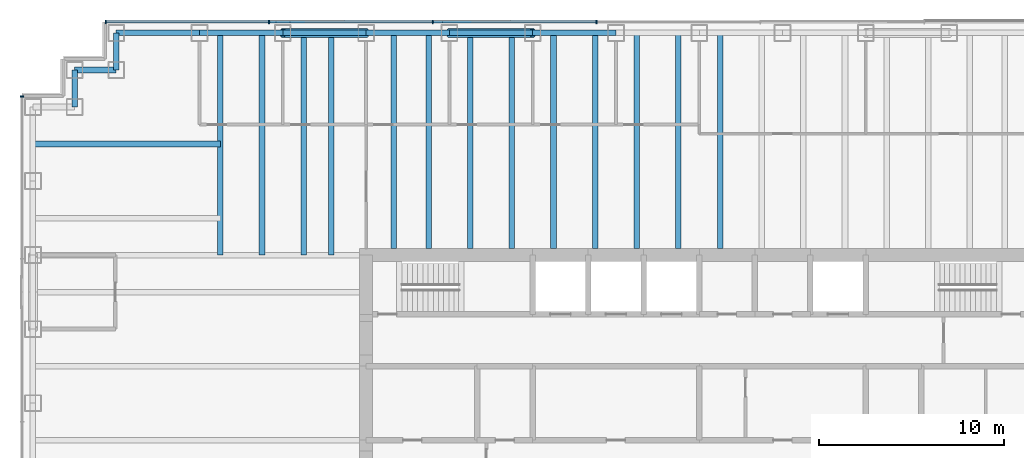
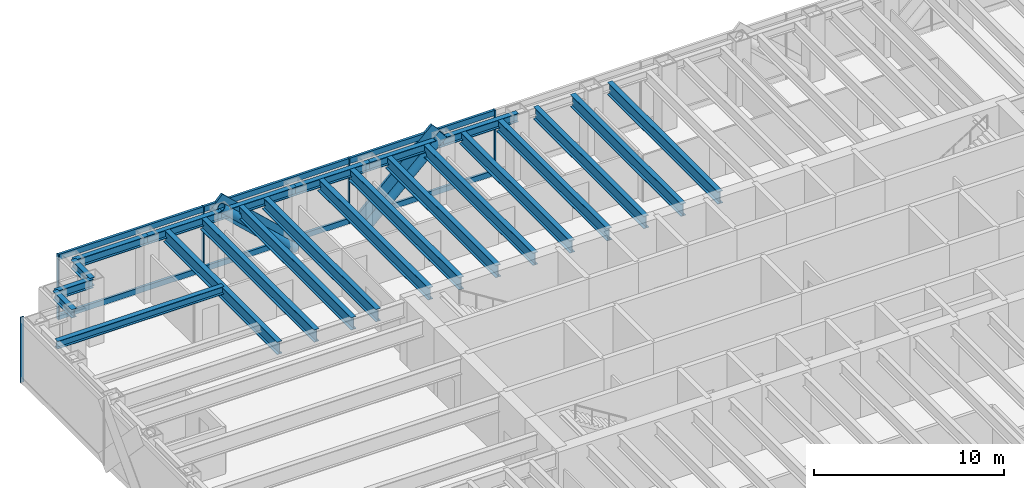
# One storey, part 6 of 17: 23 beams, 15 members, 2 elements without a shape of their own.
"""IFC4 building model written with IfcOpenShell, lengths in metres."""

from ifc_helpers import new_model, si_unit, direction, frame, origin, origin_2d, place, context, subcontext, project, spatial, rectangle, hollow_circle, i_section, extrude, material, material_profile, profile_set, type_object, element, aggregate, save


model = new_model("IFC4")

# Units and contexts
model_context = context("Model", 3, precision=1e-05, world=origin(), true_north=direction((0.0, 1.0)))
body_context = subcontext(model_context, "Body", "Model", "MODEL_VIEW")
ifc_project = project(units=[si_unit("LENGTHUNIT", "METRE"), si_unit("AREAUNIT", "SQUARE_METRE"), si_unit("VOLUMEUNIT", "CUBIC_METRE"), si_unit("PLANEANGLEUNIT", "RADIAN"), si_unit("MASSUNIT", "GRAM", prefix="KILO")], contexts=[model_context])

# Site, building, storey
site_placement = place(None, origin())
site = spatial("IfcSite", under=ifc_project, at=site_placement, CompositionType="ELEMENT")
building_placement = place(site_placement, origin())
building = spatial("IfcBuilding", under=site, at=building_placement, Name="Rheinbord Bourse Tower", CompositionType="ELEMENT")
storey_placement = place(building_placement, frame((0.0, 0.0, 321.5)))
storey = spatial("IfcBuildingStorey", under=building, at=storey_placement, Name="L73", CompositionType="ELEMENT", Elevation=321.5)

# Curtain wall, members
ifc_material_1 = material(Name="Dark glass and black aluminium", Category="aluminium")
curtain_wall_type = type_object("IfcCurtainWallType", Name="CW3 DARK GLASS CURTAIN WALL", PredefinedType="USERDEFINED", material=ifc_material_1)
curtain_wall_1_placement = place(storey_placement, origin())
curtain_wall_1 = element("IfcCurtainWall", 1, at=curtain_wall_1_placement, inside=storey, type_object=curtain_wall_type, Name="Curtain wall CW3 N L73", ObjectType="UNITISED CURTAIN WALL", PredefinedType="USERDEFINED")
ifc_material_2 = material(Name="Black anodised aluminium", Category="aluminium")
ifc_material_profile_1 = material_profile(ifc_material_2, rectangle(XDim=0.14990234375, YDim=1.10791015625, at=origin_2d()), Name="CW3 DIAGONAL MULLION 1108x150")
ifc_profile_set_1 = profile_set([ifc_material_profile_1], Name="Black anodised aluminium")
member_type_1 = type_object("IfcMemberType", Name="CW3 BLACK DIAGONAL MULLION", PredefinedType="USERDEFINED", material=ifc_profile_set_1)
member_1_placement = place(storey_placement, frame((22.5, 44.60009765625, 0.0), z_axis=(0.73105922506, 0.0, 0.682314010889), x_axis=(0.0, 1.0, 0.0)))
member_1 = element("IfcMember", 2, at=member_1_placement, type_object=member_type_1, Name="CW3 diagonal mullion b", ObjectType="DIAGONAL MULLION", PredefinedType="USERDEFINED", context=body_context, shape_type="SweptSolid", body=[
    extrude(rectangle(XDim=0.14990234375, YDim=1.10791015625, at=origin_2d()), origin(), (0.0, 0.0, 1.0), 6.155517578125),
])
member_2_placement = place(storey_placement, frame((18.0, 44.60009765625, 0.0), z_axis=(-0.73105922506, 0.0, 0.682314010889), x_axis=(0.0, -1.0, 0.0)))
member_2 = element("IfcMember", 3, at=member_2_placement, type_object=member_type_1, Name="CW3 diagonal mullion c", ObjectType="DIAGONAL MULLION", PredefinedType="USERDEFINED", context=body_context, shape_type="SweptSolid", body=[
    extrude(rectangle(XDim=0.14990234375, YDim=1.10791015625, at=origin_2d()), origin(), (0.0, 0.0, 1.0), 6.155517578125),
])
ifc_material_3 = material(Name="Black anodised aluminium", Category="aluminium")
ifc_material_profile_2 = material_profile(ifc_material_3, rectangle(XDim=0.199951171875, YDim=0.06494140625, at=origin_2d()), Name="CW3 MULLION 65x200")
ifc_profile_set_2 = profile_set([ifc_material_profile_2], Name="Black anodised aluminium")
member_type_2 = type_object("IfcMemberType", Name="CW3 BLACK MULLION", PredefinedType="MULLION", material=ifc_profile_set_2)
member_3_placement = place(storey_placement, frame((30.449951171875, 44.60009765625, 0.0), z_axis=(0.0, 0.0, 1.0), x_axis=(0.0, -1.0, 0.0)))
member_3 = element("IfcMember", 4, at=member_3_placement, type_object=member_type_2, Name="CW3 mullion 5", PredefinedType="MULLION", context=body_context, shape_type="SweptSolid", body=[
    extrude(rectangle(XDim=0.199951171875, YDim=0.06494140625, at=origin_2d()), origin(), (0.0, 0.0, 1.0), 4.199951171875),
])
member_4_placement = place(storey_placement, frame((21.60009765625, 44.60009765625, 0.0), z_axis=(0.0, 0.0, 1.0), x_axis=(0.0, -1.0, 0.0)))
member_4 = element("IfcMember", 5, at=member_4_placement, type_object=member_type_2, Name="CW3 mullion 6", PredefinedType="MULLION", context=body_context, shape_type="SweptSolid", body=[
    extrude(rectangle(XDim=0.199951171875, YDim=0.06494140625, at=origin_2d()), origin(), (0.0, 0.0, 1.0), 4.199951171875),
])
member_5_placement = place(storey_placement, frame((12.75, 44.60009765625, 0.0), z_axis=(0.0, 0.0, 1.0), x_axis=(0.0, -1.0, 0.0)))
member_5 = element("IfcMember", 6, at=member_5_placement, type_object=member_type_2, Name="CW3 mullion 7", PredefinedType="MULLION", context=body_context, shape_type="SweptSolid", body=[
    extrude(rectangle(XDim=0.199951171875, YDim=0.06494140625, at=origin_2d()), origin(), (0.0, 0.0, 1.0), 4.199951171875),
])
member_6_placement = place(storey_placement, frame((3.9326171875, 44.60009765625, 0.0), z_axis=(0.0, 0.0, 1.0), x_axis=(0.0, -1.0, 0.0)))
member_6 = element("IfcMember", 7, at=member_6_placement, type_object=member_type_2, Name="CW3 mullion 8", PredefinedType="MULLION", context=body_context, shape_type="SweptSolid", body=[
    extrude(rectangle(XDim=0.199951171875, YDim=0.06494140625, at=origin_2d()), origin(), (0.0, 0.0, 1.0), 4.199951171875),
])

# Curtain wall, member
curtain_wall_2_placement = place(storey_placement, origin())
curtain_wall_2 = element("IfcCurtainWall", 8, at=curtain_wall_2_placement, inside=storey, type_object=curtain_wall_type, Name="Curtain wall CW3 W L73", ObjectType="UNITISED CURTAIN WALL", PredefinedType="USERDEFINED")
member_7_placement = place(storey_placement, frame((-0.60009765625, 40.5673828125, 0.0), z_axis=(0.0, 0.0, 1.0), x_axis=(1.0, 0.0, 0.0)))
member_7 = element("IfcMember", 9, at=member_7_placement, type_object=member_type_2, Name="CW3 mullion 1", PredefinedType="MULLION", context=body_context, shape_type="SweptSolid", body=[
    extrude(rectangle(XDim=0.199951171875, YDim=0.06494140625, at=origin_2d()), origin(), (0.0, 0.0, 1.0), 4.199951171875),
])
aggregate(curtain_wall_2, [member_7])

# Member
ifc_material_4 = material(Name="Black anodised aluminium", Category="aluminium")
ifc_material_profile_3 = material_profile(ifc_material_4, rectangle(XDim=0.14990234375, YDim=0.35009765625, at=origin_2d()), Name="CW3 TRANSOM 350x150")
ifc_profile_set_3 = profile_set([ifc_material_profile_3], Name="Black anodised aluminium")
member_type_3 = type_object("IfcMemberType", Name="CW3 BLACK TRANSOM", PredefinedType="USERDEFINED", material=ifc_profile_set_3)
member_8_placement = place(storey_placement, frame((30.41748046875, 44.60009765625, 0.175048828125), z_axis=(-1.0, 0.0, 0.0), x_axis=(0.0, -1.0, 0.0)))
member_8 = element("IfcMember", 10, at=member_8_placement, type_object=member_type_3, Name="CW3 transom 5.1", ObjectType="TRANSOM", PredefinedType="USERDEFINED", context=body_context, shape_type="SweptSolid", body=[
    extrude(rectangle(XDim=0.14990234375, YDim=0.35009765625, at=origin_2d()), origin(), (0.0, 0.0, 1.0), 8.784912109375),
])

member_9_placement = place(storey_placement, frame((30.41748046875, 44.60009765625, 4.02490234375), z_axis=(-1.0, 0.0, 0.0), x_axis=(0.0, -1.0, 0.0)))
member_9 = element("IfcMember", 11, at=member_9_placement, type_object=member_type_3, Name="CW3 transom 5.2", ObjectType="TRANSOM", PredefinedType="USERDEFINED", context=body_context, shape_type="SweptSolid", body=[
    extrude(rectangle(XDim=0.14990234375, YDim=0.35009765625, at=origin_2d()), origin(), (0.0, 0.0, 1.0), 8.784912109375),
])

member_10_placement = place(storey_placement, frame((21.5673828125, 44.60009765625, 0.175048828125), z_axis=(-1.0, 0.0, 0.0), x_axis=(0.0, -1.0, 0.0)))
member_10 = element("IfcMember", 12, at=member_10_placement, type_object=member_type_3, Name="CW3 transom 6.1", ObjectType="TRANSOM", PredefinedType="USERDEFINED", context=body_context, shape_type="SweptSolid", body=[
    extrude(rectangle(XDim=0.14990234375, YDim=0.35009765625, at=origin_2d()), origin(), (0.0, 0.0, 1.0), 8.784912109375),
])

member_11_placement = place(storey_placement, frame((21.5673828125, 44.60009765625, 4.02490234375), z_axis=(-1.0, 0.0, 0.0), x_axis=(0.0, -1.0, 0.0)))
member_11 = element("IfcMember", 13, at=member_11_placement, type_object=member_type_3, Name="CW3 transom 6.2", ObjectType="TRANSOM", PredefinedType="USERDEFINED", context=body_context, shape_type="SweptSolid", body=[
    extrude(rectangle(XDim=0.14990234375, YDim=0.35009765625, at=origin_2d()), origin(), (0.0, 0.0, 1.0), 8.784912109375),
])

member_12_placement = place(storey_placement, frame((12.717529296875, 44.60009765625, 0.175048828125), z_axis=(-1.0, 0.0, 0.0), x_axis=(0.0, -1.0, 0.0)))
member_12 = element("IfcMember", 14, at=member_12_placement, type_object=member_type_3, Name="CW3 transom 7.1", ObjectType="TRANSOM", PredefinedType="USERDEFINED", context=body_context, shape_type="SweptSolid", body=[
    extrude(rectangle(XDim=0.14990234375, YDim=0.35009765625, at=origin_2d()), origin(), (0.0, 0.0, 1.0), 8.75244140625),
])

member_13_placement = place(storey_placement, frame((12.717529296875, 44.60009765625, 4.02490234375), z_axis=(-1.0, 0.0, 0.0), x_axis=(0.0, -1.0, 0.0)))
member_13 = element("IfcMember", 15, at=member_13_placement, type_object=member_type_3, Name="CW3 transom 7.2", ObjectType="TRANSOM", PredefinedType="USERDEFINED", context=body_context, shape_type="SweptSolid", body=[
    extrude(rectangle(XDim=0.14990234375, YDim=0.35009765625, at=origin_2d()), origin(), (0.0, 0.0, 1.0), 8.75244140625),
])

aggregate(curtain_wall_1, [member_3, member_4, member_5, member_6, member_8, member_9, member_10, member_11, member_12, member_13, member_1, member_2])

# Beams
ifc_material_5 = material(Name="Steel S460", Category="steel")
ifc_material_profile_4 = material_profile(ifc_material_5, i_section(OverallWidth=0.300048828125, OverallDepth=0.800048828125, WebThickness=0.017578125, FlangeThickness=0.032958984375, at=origin_2d()), Name="HEB 800")
ifc_profile_set_4 = profile_set([ifc_material_profile_4], Name="Steel S460")
beam_type_1 = type_object("IfcBeamType", Name="FLOOR BEAM HEB 800", PredefinedType="BEAM", material=ifc_profile_set_4)
for number, where, z_axis, x_axis, name in (
    (16, (10.125, 44.0, 3.639892578125), (0.0, -1.0, 0.0), (1.0, 0.0, 0.0), "Floor beam N-9a L74"),
    (17, (12.375, 44.0, 3.639892578125), (0.0, -1.0, 0.0), (1.0, 0.0, 0.0), "Floor beam N-9b L74"),
    (18, (14.625, 44.0, 3.639892578125), (0.0, -1.0, 0.0), (1.0, 0.0, 0.0), "Floor beam N-13.5a L74"),
    (19, (16.125, 44.0, 3.639892578125), (0.0, -1.0, 0.0), (1.0, 0.0, 0.0), "Floor beam N-13.5b L74"),
):
    element("IfcBeam", number, at=place(storey_placement, frame(where, z_axis=z_axis, x_axis=x_axis)), inside=storey, type_object=beam_type_1, Name=name, PredefinedType="BEAM", context=body_context, shape_type="SweptSolid", body=[
        extrude(i_section(OverallWidth=0.300048828125, OverallDepth=0.800048828125, WebThickness=0.017578125, FlangeThickness=0.032958984375, at=origin_2d()), origin(), (0.0, 0.0, 1.0), 12.0),
    ])
for number, where, z_axis, x_axis, name in (
    (20, (19.5, 44.0, 3.639892578125), (0.0, -1.0, 0.0), (1.0, 0.0, 0.0), "Floor beam N-18a L74"),
    (21, (21.375, 44.0, 3.639892578125), (0.0, -1.0, 0.0), (1.0, 0.0, 0.0), "Floor beam N-18b L74"),
    (22, (23.625, 44.0, 3.639892578125), (0.0, -1.0, 0.0), (1.0, 0.0, 0.0), "Floor beam N-22.5a L74"),
    (23, (25.875, 44.0, 3.639892578125), (0.0, -1.0, 0.0), (1.0, 0.0, 0.0), "Floor beam N-22.5b L74"),
    (24, (28.125, 44.0, 3.639892578125), (0.0, -1.0, 0.0), (1.0, 0.0, 0.0), "Floor beam N-27a L74"),
    (25, (30.375, 44.0, 3.639892578125), (0.0, -1.0, 0.0), (1.0, 0.0, 0.0), "Floor beam N-27b L74"),
    (26, (32.625, 44.0, 3.639892578125), (0.0, -1.0, 0.0), (1.0, 0.0, 0.0), "Floor beam N-31.5a L74"),
    (27, (34.875, 44.0, 3.639892578125), (0.0, -1.0, 0.0), (1.0, 0.0, 0.0), "Floor beam N-31.5b L74"),
    (28, (37.125, 44.0, 3.639892578125), (0.0, -1.0, 0.0), (1.0, 0.0, 0.0), "Floor beam N-36a L74"),
):
    element("IfcBeam", number, at=place(storey_placement, frame(where, z_axis=z_axis, x_axis=x_axis)), inside=storey, type_object=beam_type_1, Name=name, PredefinedType="BEAM", context=body_context, shape_type="SweptSolid", body=[
        extrude(i_section(OverallWidth=0.300048828125, OverallDepth=0.800048828125, WebThickness=0.017578125, FlangeThickness=0.032958984375, at=origin_2d()), origin(), (0.0, 0.0, 1.0), 11.64990234375),
    ])

# Members
ifc_material_6 = material(Name="Steel S460", Category="steel")
ifc_material_profile_5 = material_profile(ifc_material_6, hollow_circle(Radius=0.25390625, WallThickness=0.030029296875, at=origin_2d()), Name="CHS 508x30")
ifc_profile_set_5 = profile_set([ifc_material_profile_5], Name="Steel S460")
member_type_4 = type_object("IfcMemberType", Name="MEGABRACE CHS 508x30", PredefinedType="BRACE", material=ifc_profile_set_5)
for number, where, z_axis, x_axis, name in (
    (29, (22.5, 44.0, 0.0), (0.73105922506, 0.0, 0.682314010889), (0.0, 1.0, 0.0), "Megabrace N face line b L73"),
    (30, (18.0, 44.0, 0.0), (-0.73105922506, 0.0, 0.682314010889), (0.0, -1.0, 0.0), "Megabrace N face line c L73"),
):
    element("IfcMember", number, at=place(storey_placement, frame(where, z_axis=z_axis, x_axis=x_axis)), inside=storey, type_object=member_type_4, Name=name, PredefinedType="BRACE", context=body_context, shape_type="SweptSolid", body=[
        extrude(hollow_circle(Radius=0.25390625, WallThickness=0.030029296875, at=origin_2d()), origin(), (0.0, 0.0, 1.0), 6.155517578125),
    ])

# Beams
ifc_material_7 = material(Name="Steel S460", Category="steel")
ifc_material_profile_6 = material_profile(ifc_material_7, i_section(OverallWidth=0.300048828125, OverallDepth=0.550048828125, WebThickness=0.014892578125, FlangeThickness=0.029052734375, at=origin_2d()), Name="HEB 550")
ifc_profile_set_6 = profile_set([ifc_material_profile_6], Name="Steel S460")
beam_type_2 = type_object("IfcBeamType", Name="SPANDREL HEB 550", PredefinedType="SPANDREL", material=ifc_profile_set_6)
for number, where, z_axis, x_axis, name in (
    (31, (31.5, 44.0, 3.764892578125), (-1.0, 0.0, 0.0), (0.0, -1.0, 0.0), "Spandrel N-31.5-N-27 under L74"),
    (32, (27.0, 44.0, 3.764892578125), (-1.0, 0.0, 0.0), (0.0, -1.0, 0.0), "Spandrel N-27-N-22.5 under L74"),
    (33, (22.5, 44.0, 3.764892578125), (-1.0, 0.0, 0.0), (0.0, -1.0, 0.0), "Spandrel N-22.5-N-18 under L74"),
    (34, (18.0, 44.0, 3.764892578125), (-1.0, 0.0, 0.0), (0.0, -1.0, 0.0), "Spandrel N-18-N-13.5 under L74"),
    (35, (13.5, 44.0, 3.764892578125), (-1.0, 0.0, 0.0), (0.0, -1.0, 0.0), "Spandrel N-13.5-N-9 under L74"),
    (36, (9.0, 44.0, 3.764892578125), (-1.0, 0.0, 0.0), (0.0, -1.0, 0.0), "Spandrel N-9-NW-E under L74"),
):
    element("IfcBeam", number, at=place(storey_placement, frame(where, z_axis=z_axis, x_axis=x_axis)), inside=storey, type_object=beam_type_2, Name=name, PredefinedType="SPANDREL", context=body_context, shape_type="SweptSolid", body=[
        extrude(i_section(OverallWidth=0.300048828125, OverallDepth=0.550048828125, WebThickness=0.014892578125, FlangeThickness=0.029052734375, at=origin_2d()), origin(), (0.0, 0.0, 1.0), 4.5),
    ])
beam_1_placement = place(storey_placement, frame((4.5, 44.0, 3.764892578125), z_axis=(0.0, -1.0, 0.0), x_axis=(1.0, 0.0, 0.0)))
element("IfcBeam", 37, at=beam_1_placement, inside=storey, type_object=beam_type_2, Name="Spandrel NW-E-NW-D under L74", PredefinedType="SPANDREL", context=body_context, shape_type="SweptSolid", body=[
    extrude(i_section(OverallWidth=0.300048828125, OverallDepth=0.550048828125, WebThickness=0.014892578125, FlangeThickness=0.029052734375, at=origin_2d()), origin(), (0.0, 0.0, 1.0), 2.0),
])
beam_2_placement = place(storey_placement, frame((4.5, 42.0, 3.764892578125), z_axis=(-1.0, 0.0, 0.0), x_axis=(0.0, -1.0, 0.0)))
element("IfcBeam", 38, at=beam_2_placement, inside=storey, type_object=beam_type_2, Name="Spandrel NW-D-NW-C under L74", PredefinedType="SPANDREL", context=body_context, shape_type="SweptSolid", body=[
    extrude(i_section(OverallWidth=0.300048828125, OverallDepth=0.550048828125, WebThickness=0.014892578125, FlangeThickness=0.029052734375, at=origin_2d()), origin(), (0.0, 0.0, 1.0), 2.25),
])
beam_3_placement = place(storey_placement, frame((2.25, 42.0, 3.764892578125), z_axis=(0.0, -1.0, 0.0), x_axis=(1.0, 0.0, 0.0)))
element("IfcBeam", 39, at=beam_3_placement, inside=storey, type_object=beam_type_2, Name="Spandrel NW-C-NW-B under L74", PredefinedType="SPANDREL", context=body_context, shape_type="SweptSolid", body=[
    extrude(i_section(OverallWidth=0.300048828125, OverallDepth=0.550048828125, WebThickness=0.014892578125, FlangeThickness=0.029052734375, at=origin_2d()), origin(), (0.0, 0.0, 1.0), 2.0),
])
ifc_material_8 = material(Name="Steel S460", Category="steel")
ifc_material_profile_7 = material_profile(ifc_material_8, i_section(OverallWidth=0.300048828125, OverallDepth=0.5, WebThickness=0.014404296875, FlangeThickness=0.028076171875, at=origin_2d()), Name="HEB 500")
ifc_profile_set_7 = profile_set([ifc_material_profile_7], Name="Steel S460")
beam_type_3 = type_object("IfcBeamType", Name="TIE BEAM HEB 500", PredefinedType="JOIST", material=ifc_profile_set_7)
beam_4_placement = place(storey_placement, frame((0.0, 38.0, 3.7900390625), z_axis=(1.0, 0.0, 0.0), x_axis=(0.0, 1.0, 0.0)))
element("IfcBeam", 40, at=beam_4_placement, inside=storey, type_object=beam_type_3, Name="Tie west 38 L74", PredefinedType="JOIST", context=body_context, shape_type="SweptSolid", body=[
    extrude(i_section(OverallWidth=0.300048828125, OverallDepth=0.5, WebThickness=0.014404296875, FlangeThickness=0.028076171875, at=origin_2d()), origin(), (0.0, 0.0, 1.0), 10.125),
])

save(model, "model.ifc")
